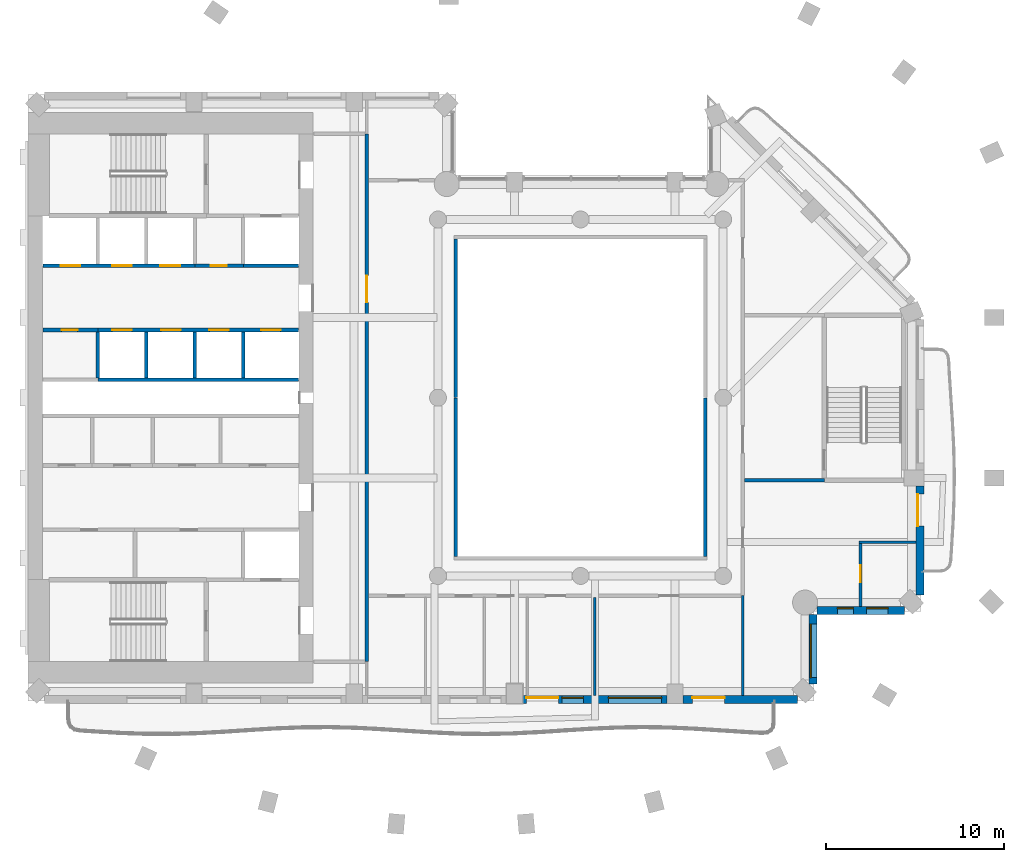
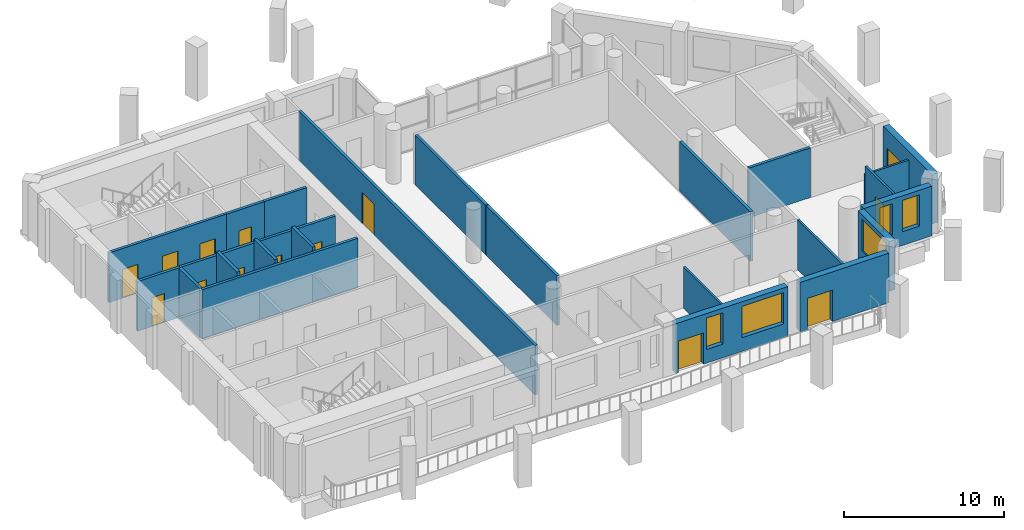
# One storey, part 5 of 13: 24 walls, 14 doors, 5 windows, 19 openings.
"""IFC4 building model written with IfcOpenShell, lengths in metres."""

from ifc_helpers import new_model, si_unit, direction, frame, frame_2d, origin, place, context, subcontext, project, spatial, rectangle, extrude, material, layer, layer_set, type_object, element, fill, save


model = new_model("IFC4")

# Units and contexts
model_context = context("Model", 3, precision=1e-05, world=origin(), true_north=direction((0.0, 1.0)))
body_context = subcontext(model_context, "Body", "Model", "MODEL_VIEW")
ifc_project = project(units=[si_unit("LENGTHUNIT", "METRE"), si_unit("AREAUNIT", "SQUARE_METRE"), si_unit("VOLUMEUNIT", "CUBIC_METRE"), si_unit("PLANEANGLEUNIT", "RADIAN"), si_unit("MASSUNIT", "GRAM", prefix="KILO")], contexts=[model_context])

# Site, building, storey
site_placement = place(None, origin())
site = spatial("IfcSite", under=ifc_project, at=site_placement, CompositionType="ELEMENT")
building_placement = place(site_placement, origin())
building = spatial("IfcBuilding", under=site, at=building_placement, Name="Cypress Arch Tower", CompositionType="ELEMENT")
storey_placement = place(building_placement, frame((0.0, 0.0, 189.199951171875)))
storey = spatial("IfcBuildingStorey", under=building, at=storey_placement, Name="L41", CompositionType="ELEMENT", Elevation=189.199951171875)

# Wall, openings, door, windows
ifc_material_1 = material(Name="Brick (red buff blend)", Category="masonry")
ifc_layer_1 = layer(ifc_material_1, 0.449951171875)
ifc_layer_set_1 = layer_set([ifc_layer_1], Name="Brick pier and spandrel wall BW450")
wall_type_1 = type_object("IfcWallType", Name="Brick pier and spandrel wall BW450", PredefinedType="SOLIDWALL", material=ifc_layer_set_1)
wall_1_placement = place(storey_placement, frame((-2.25, -16.925048828125, 0.0), z_axis=(0.0, 0.0, 1.0), x_axis=(1.0, 0.0, 0.0)))
wall_1 = element("IfcWall", 1, at=wall_1_placement, inside=storey, type_object=wall_type_1, Name="Brick wall L41 B01.3", PredefinedType="SOLIDWALL", context=body_context, shape_type="SweptSolid", body=[
    extrude(rectangle(XDim=8.10009765625, YDim=0.449951171875, at=frame_2d((4.050048828125, 0.0))), origin(), (0.0, 0.0, 1.0), 3.800048828125),
])
opening_1_placement = place(wall_1_placement, frame((0.199951171875, 0.0, 0.0)))
opening_1 = element("IfcOpeningElement", 2, at=opening_1_placement, cuts=wall_1, Name="Opening D-L41-B01.3.1", PredefinedType="OPENING", context=body_context, shape_type="SweptSolid", body=[
    extrude(rectangle(XDim=1.800048828125, YDim=2.39990234375, at=frame_2d((0.89990234375, 1.199951171875))), frame((0.0, 0.23486328125, 0.0), z_axis=(0.0, -1.0, 0.0), x_axis=(1.0, 0.0, 0.0)), (0.0, 0.0, 1.0), 0.469970703125),
])
opening_2_placement = place(wall_1_placement, frame((2.199951171875, 0.0, 1.050048828125)))
opening_2 = element("IfcOpeningElement", 3, at=opening_2_placement, cuts=wall_1, Name="Opening W120OD", PredefinedType="OPENING", context=body_context, shape_type="SweptSolid", body=[
    extrude(rectangle(XDim=1.199951171875, YDim=2.39990234375, at=frame_2d((0.60009765625, 1.199951171875))), frame((0.0, 0.23486328125, 0.0), z_axis=(0.0, -1.0, 0.0), x_axis=(1.0, 0.0, 0.0)), (0.0, 0.0, 1.0), 0.469970703125),
])
opening_3_placement = place(wall_1_placement, frame((4.800048828125, 0.0, 1.050048828125)))
opening_3 = element("IfcOpeningElement", 4, at=opening_3_placement, cuts=wall_1, Name="Opening W300OD", PredefinedType="OPENING", context=body_context, shape_type="SweptSolid", body=[
    extrude(rectangle(XDim=3.0, YDim=2.39990234375, at=frame_2d((1.5, 1.199951171875))), frame((0.0, 0.23486328125, 0.0), z_axis=(0.0, -1.0, 0.0), x_axis=(1.0, 0.0, 0.0)), (0.0, 0.0, 1.0), 0.469970703125),
])
ifc_material_2 = material(Name="Anodised aluminium, bronze finish, laminated low-emissivity double glazing, large-missile impact rated", Category="aluminium")
door_type_1 = type_object("IfcDoorType", Name="Balcony sliding door 1800x2400", OperationType="SLIDING_TO_LEFT", PredefinedType="DOOR", material=ifc_material_2)
door_1_placement = place(opening_1_placement, origin())
door_1 = element("IfcDoor", 5, at=door_1_placement, inside=storey, type_object=door_type_1, Name="Balcony door L41 B01.3.1", OperationType="SLIDING_TO_LEFT", OverallHeight=2.39990234375, OverallWidth=1.800048828125, PredefinedType="DOOR", context=body_context, shape_type="SweptSolid", body=[
    extrude(rectangle(XDim=1.800048828125, YDim=2.39990234375, at=frame_2d((0.89990234375, 1.199951171875))), frame((0.0, 0.1298828125, 0.0), z_axis=(0.0, -1.0, 0.0), x_axis=(1.0, 0.0, 0.0)), (0.0, 0.0, 1.0), 0.050048828125),
])
fill(opening_1, door_1)
ifc_material_3 = material(Name="Anodised aluminium, bronze finish, laminated low-emissivity double glazing, large-missile impact rated", Category="aluminium")
window_type_1 = type_object("IfcWindowType", Name="Window Office 1200x2400 debris-rated", PartitioningType="SINGLE_PANEL", PredefinedType="WINDOW", material=ifc_material_3)
window_1_placement = place(opening_2_placement, origin())
window_1 = element("IfcWindow", 6, at=window_1_placement, inside=storey, type_object=window_type_1, Name="Window L41 B01.3.1", OverallHeight=2.39990234375, OverallWidth=1.199951171875, PartitioningType="SINGLE_PANEL", PredefinedType="WINDOW", context=body_context, shape_type="SweptSolid", body=[
    extrude(rectangle(XDim=1.199951171875, YDim=2.39990234375, at=frame_2d((0.60009765625, 1.199951171875))), frame((0.0, 0.135009765625, 0.0), z_axis=(0.0, -1.0, 0.0), x_axis=(1.0, 0.0, 0.0)), (0.0, 0.0, 1.0), 0.06005859375),
])
fill(opening_2, window_1)
ifc_material_4 = material(Name="Anodised aluminium, bronze finish, laminated low-emissivity double glazing, large-missile impact rated", Category="aluminium")
window_type_2 = type_object("IfcWindowType", Name="Window Office 3000x2400 debris-rated", PartitioningType="SINGLE_PANEL", PredefinedType="WINDOW", material=ifc_material_4)
window_2_placement = place(opening_3_placement, origin())
window_2 = element("IfcWindow", 7, at=window_2_placement, inside=storey, type_object=window_type_2, Name="Window L41 B01.3.2", OverallHeight=2.39990234375, OverallWidth=3.0, PartitioningType="SINGLE_PANEL", PredefinedType="WINDOW", context=body_context, shape_type="SweptSolid", body=[
    extrude(rectangle(XDim=3.0, YDim=2.39990234375, at=frame_2d((1.5, 1.199951171875))), frame((0.0, 0.135009765625, 0.0), z_axis=(0.0, -1.0, 0.0), x_axis=(1.0, 0.0, 0.0)), (0.0, 0.0, 1.0), 0.06005859375),
])
fill(opening_3, window_2)

# Wall, opening, door
wall_2_placement = place(storey_placement, frame((6.75, -16.925048828125, 0.0), z_axis=(0.0, 0.0, 1.0), x_axis=(1.0, 0.0, 0.0)))
wall_2 = element("IfcWall", 8, at=wall_2_placement, inside=storey, type_object=wall_type_1, Name="Brick wall L41 B01.4", PredefinedType="SOLIDWALL", context=body_context, shape_type="SweptSolid", body=[
    extrude(rectangle(XDim=6.41357421875, YDim=0.449951171875, at=frame_2d((3.206787109375, 0.0))), origin(), (0.0, 0.0, 1.0), 3.800048828125),
])
opening_4_placement = place(wall_2_placement, frame((0.52490234375, 0.0, 0.0)))
opening_4 = element("IfcOpeningElement", 9, at=opening_4_placement, cuts=wall_2, Name="Opening D-L41-B01.4.1", PredefinedType="OPENING", context=body_context, shape_type="SweptSolid", body=[
    extrude(rectangle(XDim=1.800048828125, YDim=2.39990234375, at=frame_2d((0.89990234375, 1.199951171875))), frame((0.0, 0.23486328125, 0.0), z_axis=(0.0, -1.0, 0.0), x_axis=(1.0, 0.0, 0.0)), (0.0, 0.0, 1.0), 0.469970703125),
])
door_2_placement = place(opening_4_placement, origin())
door_2 = element("IfcDoor", 10, at=door_2_placement, inside=storey, type_object=door_type_1, Name="Balcony door L41 B01.4.1", OperationType="SLIDING_TO_LEFT", OverallHeight=2.39990234375, OverallWidth=1.800048828125, PredefinedType="DOOR", context=body_context, shape_type="SweptSolid", body=[
    extrude(rectangle(XDim=1.800048828125, YDim=2.39990234375, at=frame_2d((0.89990234375, 1.199951171875))), frame((0.0, 0.1298828125, 0.0), z_axis=(0.0, -1.0, 0.0), x_axis=(1.0, 0.0, 0.0)), (0.0, 0.0, 1.0), 0.050048828125),
])
fill(opening_4, door_2)

# Wall, opening, window
wall_3_placement = place(storey_placement, frame((14.02490234375, -16.063720703125, 0.0), z_axis=(0.0, 0.0, 1.0), x_axis=(0.0, 1.0, 0.0)))
wall_3 = element("IfcWall", 11, at=wall_3_placement, inside=storey, type_object=wall_type_1, Name="Brick wall L41 B02.0", PredefinedType="SOLIDWALL", context=body_context, shape_type="SweptSolid", body=[
    extrude(rectangle(XDim=3.9091796875, YDim=0.449951171875, at=frame_2d((1.95458984375, 0.0))), origin(), (0.0, 0.0, 1.0), 3.800048828125),
])
opening_5_placement = place(wall_3_placement, frame((0.363525390625, 0.0, 1.050048828125)))
opening_5 = element("IfcOpeningElement", 12, at=opening_5_placement, cuts=wall_3, Name="Opening W300O", PredefinedType="OPENING", context=body_context, shape_type="SweptSolid", body=[
    extrude(rectangle(XDim=3.0, YDim=2.39990234375, at=frame_2d((1.5, 1.199951171875))), frame((0.0, 0.23486328125, 0.0), z_axis=(0.0, -1.0, 0.0), x_axis=(1.0, 0.0, 0.0)), (0.0, 0.0, 1.0), 0.469970703125),
])
ifc_material_5 = material(Name="Anodised aluminium, bronze finish, clear low-emissivity double glazing", Category="aluminium")
window_type_3 = type_object("IfcWindowType", Name="Window Office 3000x2400", PartitioningType="SINGLE_PANEL", PredefinedType="WINDOW", material=ifc_material_5)
window_3_placement = place(opening_5_placement, origin())
window_3 = element("IfcWindow", 13, at=window_3_placement, inside=storey, type_object=window_type_3, Name="Window L41 B02.0.1", OverallHeight=2.39990234375, OverallWidth=3.0, PartitioningType="SINGLE_PANEL", PredefinedType="WINDOW", context=body_context, shape_type="SweptSolid", body=[
    extrude(rectangle(XDim=3.0, YDim=2.39990234375, at=frame_2d((1.5, 1.199951171875))), frame((0.0, 0.135009765625, 0.0), z_axis=(0.0, -1.0, 0.0), x_axis=(1.0, 0.0, 0.0)), (0.0, 0.0, 1.0), 0.06005859375),
])
fill(opening_5, window_3)

# Wall, openings, windows
wall_4_placement = place(storey_placement, frame((14.254638671875, -11.925048828125, 0.0), z_axis=(0.0, 0.0, 1.0), x_axis=(1.0, 0.0, 0.0)))
wall_4 = element("IfcWall", 14, at=wall_4_placement, inside=storey, type_object=wall_type_1, Name="Brick wall L41 B03.0", PredefinedType="SOLIDWALL", context=body_context, shape_type="SweptSolid", body=[
    extrude(rectangle(XDim=4.908935546875, YDim=0.449951171875, at=frame_2d((2.45458984375, 0.0))), origin(), (0.0, 0.0, 1.0), 3.800048828125),
])
opening_6_placement = place(wall_4_placement, frame((1.1455078125, 0.0, 1.050048828125)))
opening_6 = element("IfcOpeningElement", 15, at=opening_6_placement, cuts=wall_4, Name="Opening W090O", PredefinedType="OPENING", context=body_context, shape_type="SweptSolid", body=[
    extrude(rectangle(XDim=0.89990234375, YDim=2.39990234375, at=frame_2d((0.449951171875, 1.199951171875))), frame((0.0, 0.23486328125, 0.0), z_axis=(0.0, -1.0, 0.0), x_axis=(1.0, 0.0, 0.0)), (0.0, 0.0, 1.0), 0.469970703125),
])
opening_7_placement = place(wall_4_placement, frame((2.79541015625, 0.0, 1.050048828125)))
opening_7 = element("IfcOpeningElement", 16, at=opening_7_placement, cuts=wall_4, Name="Opening W120O", PredefinedType="OPENING", context=body_context, shape_type="SweptSolid", body=[
    extrude(rectangle(XDim=1.199951171875, YDim=2.39990234375, at=frame_2d((0.60009765625, 1.199951171875))), frame((0.0, 0.23486328125, 0.0), z_axis=(0.0, -1.0, 0.0), x_axis=(1.0, 0.0, 0.0)), (0.0, 0.0, 1.0), 0.469970703125),
])
ifc_material_6 = material(Name="Anodised aluminium, bronze finish, clear low-emissivity double glazing", Category="aluminium")
window_type_4 = type_object("IfcWindowType", Name="Window Office 1200x2400", PartitioningType="SINGLE_PANEL", PredefinedType="WINDOW", material=ifc_material_6)
window_4_placement = place(opening_7_placement, origin())
window_4 = element("IfcWindow", 17, at=window_4_placement, inside=storey, type_object=window_type_4, Name="Window L41 B03.0.1b", OverallHeight=2.39990234375, OverallWidth=1.199951171875, PartitioningType="SINGLE_PANEL", PredefinedType="WINDOW", context=body_context, shape_type="SweptSolid", body=[
    extrude(rectangle(XDim=1.199951171875, YDim=2.39990234375, at=frame_2d((0.60009765625, 1.199951171875))), frame((0.0, 0.135009765625, 0.0), z_axis=(0.0, -1.0, 0.0), x_axis=(1.0, 0.0, 0.0)), (0.0, 0.0, 1.0), 0.06005859375),
])
fill(opening_7, window_4)
ifc_material_7 = material(Name="Anodised aluminium, bronze finish, clear low-emissivity double glazing", Category="aluminium")
window_type_5 = type_object("IfcWindowType", Name="Window Office 900x2400", PartitioningType="SINGLE_PANEL", PredefinedType="WINDOW", material=ifc_material_7)
window_5_placement = place(opening_6_placement, origin())
window_5 = element("IfcWindow", 18, at=window_5_placement, inside=storey, type_object=window_type_5, Name="Window L41 B03.0.1", OverallHeight=2.39990234375, OverallWidth=0.89990234375, PartitioningType="SINGLE_PANEL", PredefinedType="WINDOW", context=body_context, shape_type="SweptSolid", body=[
    extrude(rectangle(XDim=0.89990234375, YDim=2.39990234375, at=frame_2d((0.449951171875, 1.199951171875))), frame((0.0, 0.135009765625, 0.0), z_axis=(0.0, -1.0, 0.0), x_axis=(1.0, 0.0, 0.0)), (0.0, 0.0, 1.0), 0.06005859375),
])
fill(opening_6, window_5)

# Wall, opening, door
wall_5_placement = place(storey_placement, frame((20.02490234375, -11.063720703125, 0.0), z_axis=(0.0, 0.0, 1.0), x_axis=(0.0, 1.0, 0.0)))
wall_5 = element("IfcWall", 19, at=wall_5_placement, inside=storey, type_object=wall_type_1, Name="Brick wall L41 B04.0", PredefinedType="SOLIDWALL", context=body_context, shape_type="SweptSolid", body=[
    extrude(rectangle(XDim=6.11376953125, YDim=0.449951171875, at=frame_2d((3.056884765625, 0.0))), origin(), (0.0, 0.0, 1.0), 3.800048828125),
])
opening_8_placement = place(wall_5_placement, frame((3.863525390625, 0.0, 0.0)))
opening_8 = element("IfcOpeningElement", 20, at=opening_8_placement, cuts=wall_5, Name="Opening D-L41-B04.0.2", PredefinedType="OPENING", context=body_context, shape_type="SweptSolid", body=[
    extrude(rectangle(XDim=1.800048828125, YDim=2.39990234375, at=frame_2d((0.89990234375, 1.199951171875))), frame((0.0, 0.23486328125, 0.0), z_axis=(0.0, -1.0, 0.0), x_axis=(1.0, 0.0, 0.0)), (0.0, 0.0, 1.0), 0.469970703125),
])
door_3_placement = place(opening_8_placement, origin())
door_3 = element("IfcDoor", 21, at=door_3_placement, inside=storey, type_object=door_type_1, Name="Balcony door L41 B04.0.2", OperationType="SLIDING_TO_LEFT", OverallHeight=2.39990234375, OverallWidth=1.800048828125, PredefinedType="DOOR", context=body_context, shape_type="SweptSolid", body=[
    extrude(rectangle(XDim=1.800048828125, YDim=2.39990234375, at=frame_2d((0.89990234375, 1.199951171875))), frame((0.0, 0.1298828125, 0.0), z_axis=(0.0, -1.0, 0.0), x_axis=(1.0, 0.0, 0.0)), (0.0, 0.0, 1.0), 0.050048828125),
])
fill(opening_8, door_3)

ifc_material_8 = material(Name="Concrete blockwork, plastered, rated", Category="masonry")
ifc_layer_2 = layer(ifc_material_8, 0.199951171875)
ifc_layer_set_2 = layer_set([ifc_layer_2], Name="Corridor wall FW200")
wall_type_2 = type_object("IfcWallType", Name="Corridor wall FW200", PredefinedType="PARTITIONING", material=ifc_layer_set_2)
wall_6_placement = place(storey_placement, frame((-29.169921875, 3.800048828125, 0.0), z_axis=(0.0, 0.0, 1.0), x_axis=(1.0, 0.0, 0.0)))
wall_6 = element("IfcWall", 22, at=wall_6_placement, inside=storey, type_object=wall_type_2, Name="Corridor wall", PredefinedType="PARTITIONING", context=body_context, shape_type="SweptSolid", body=[
    extrude(rectangle(XDim=3.08984375, YDim=0.199951171875, at=frame_2d((1.544921875, 0.0))), origin(), (0.0, 0.0, 1.0), 3.800048828125),
])
opening_9_placement = place(wall_6_placement, frame((1.050048828125, 0.0, 0.0)))
opening_9 = element("IfcOpeningElement", 23, at=opening_9_placement, cuts=wall_6, Name="Opening D05", PredefinedType="OPENING", context=body_context, shape_type="SweptSolid", body=[
    extrude(rectangle(XDim=0.89990234375, YDim=2.199951171875, at=frame_2d((0.449951171875, 1.10009765625))), frame((0.0, 0.10986328125, 0.0), z_axis=(0.0, -1.0, 0.0), x_axis=(1.0, 0.0, 0.0)), (0.0, 0.0, 1.0), 0.219970703125),
])
ifc_material_9 = material(Name="Timber flush door", Category="wood")
door_type_2 = type_object("IfcDoorType", Name="Service door D05 900x2200", OperationType="SINGLE_SWING_LEFT", PredefinedType="DOOR", material=ifc_material_9)
door_4_placement = place(opening_9_placement, origin())
door_4 = element("IfcDoor", 24, at=door_4_placement, inside=storey, type_object=door_type_2, Name="Service door", OperationType="SINGLE_SWING_LEFT", OverallHeight=2.199951171875, OverallWidth=0.89990234375, PredefinedType="DOOR", context=body_context, shape_type="SweptSolid", body=[
    extrude(rectangle(XDim=0.89990234375, YDim=2.199951171875, at=frame_2d((0.449951171875, 1.10009765625))), frame((0.0, 0.02490234375, 0.0), z_axis=(0.0, -1.0, 0.0), x_axis=(1.0, 0.0, 0.0)), (0.0, 0.0, 1.0), 0.050048828125),
])
fill(opening_9, door_4)

wall_7_placement = place(storey_placement, frame((-20.639892578125, 7.39990234375, 0.0), z_axis=(0.0, 0.0, 1.0), x_axis=(1.0, 0.0, 0.0)))
wall_7 = element("IfcWall", 25, at=wall_7_placement, inside=storey, type_object=wall_type_2, Name="Corridor wall", PredefinedType="PARTITIONING", context=body_context, shape_type="SweptSolid", body=[
    extrude(rectangle(XDim=2.719970703125, YDim=0.199951171875, at=frame_2d((1.35986328125, 0.0))), origin(), (0.0, 0.0, 1.0), 3.800048828125),
])
opening_10_placement = place(wall_7_placement, frame((0.89990234375, 0.0, 0.0)))
opening_10 = element("IfcOpeningElement", 26, at=opening_10_placement, cuts=wall_7, Name="Opening D05", PredefinedType="OPENING", context=body_context, shape_type="SweptSolid", body=[
    extrude(rectangle(XDim=0.89990234375, YDim=2.199951171875, at=frame_2d((0.449951171875, 1.10009765625))), frame((0.0, 0.10986328125, 0.0), z_axis=(0.0, -1.0, 0.0), x_axis=(1.0, 0.0, 0.0)), (0.0, 0.0, 1.0), 0.219970703125),
])
door_5_placement = place(opening_10_placement, origin())
door_5 = element("IfcDoor", 27, at=door_5_placement, inside=storey, type_object=door_type_2, Name="Service door", OperationType="SINGLE_SWING_LEFT", OverallHeight=2.199951171875, OverallWidth=0.89990234375, PredefinedType="DOOR", context=body_context, shape_type="SweptSolid", body=[
    extrude(rectangle(XDim=0.89990234375, YDim=2.199951171875, at=frame_2d((0.449951171875, 1.10009765625))), frame((0.0, 0.02490234375, 0.0), z_axis=(0.0, -1.0, 0.0), x_axis=(1.0, 0.0, 0.0)), (0.0, 0.0, 1.0), 0.050048828125),
])
fill(opening_10, door_5)

wall_8_placement = place(storey_placement, frame((-11.0, -14.800048828125, 0.0), z_axis=(0.0, 0.0, 1.0), x_axis=(0.0, 1.0, 0.0)))
wall_8 = element("IfcWall", 28, at=wall_8_placement, inside=storey, type_object=wall_type_2, Name="Corridor wall", PredefinedType="PARTITIONING", context=body_context, shape_type="SweptSolid", body=[
    extrude(rectangle(XDim=29.60009765625, YDim=0.199951171875, at=frame_2d((14.800048828125, 0.0))), origin(), (0.0, 0.0, 1.0), 3.800048828125),
])
opening_11_placement = place(wall_8_placement, frame((20.14990234375, 0.0, 0.0)))
opening_11 = element("IfcOpeningElement", 29, at=opening_11_placement, cuts=wall_8, Name="Opening D07", PredefinedType="OPENING", context=body_context, shape_type="SweptSolid", body=[
    extrude(rectangle(XDim=1.5, YDim=2.39990234375, at=frame_2d((0.75, 1.199951171875))), frame((0.0, 0.10986328125, 0.0), z_axis=(0.0, -1.0, 0.0), x_axis=(1.0, 0.0, 0.0)), (0.0, 0.0, 1.0), 0.219970703125),
])
ifc_material_10 = material(Name="Steel framed glazed door, fire resisting", Category="steel")
door_type_3 = type_object("IfcDoorType", Name="Lobby door D07 1500x2400", OperationType="DOUBLE_DOOR_SINGLE_SWING", PredefinedType="DOOR", material=ifc_material_10)
door_6_placement = place(opening_11_placement, origin())
door_6 = element("IfcDoor", 30, at=door_6_placement, inside=storey, type_object=door_type_3, Name="Lobby door", OperationType="DOUBLE_DOOR_SINGLE_SWING", OverallHeight=2.39990234375, OverallWidth=1.5, PredefinedType="DOOR", context=body_context, shape_type="SweptSolid", body=[
    extrude(rectangle(XDim=1.5, YDim=2.39990234375, at=frame_2d((0.75, 1.199951171875))), frame((0.0, 0.02490234375, 0.0), z_axis=(0.0, -1.0, 0.0), x_axis=(1.0, 0.0, 0.0)), (0.0, 0.0, 1.0), 0.050048828125),
])
fill(opening_11, door_6)

# Walls
for number, where, z_axis, x_axis, name in (
    (31, (-6.0, -8.89990234375, 0.0), (0.0, 0.0, 1.0), (0.0, 1.0, 0.0), "Corridor wall"),
    (32, (-6.0, 0.02001953125, 0.0), (0.0, 0.0, 1.0), (0.0, 1.0, 0.0), "Corridor wall"),
    (33, (8.0, -8.89990234375, 0.0), (0.0, 0.0, 1.0), (0.0, 1.0, 0.0), "Corridor wall"),
):
    element("IfcWall", number, at=place(storey_placement, frame(where, z_axis=z_axis, x_axis=x_axis)), inside=storey, type_object=wall_type_2, Name=name, PredefinedType="PARTITIONING", context=body_context, shape_type="SweptSolid", body=[
        extrude(rectangle(XDim=8.8798828125, YDim=0.199951171875, at=frame_2d((4.43994140625, 0.0))), origin(), (0.0, 0.0, 1.0), 3.800048828125),
    ])
wall_9_placement = place(storey_placement, frame((10.199951171875, -4.625, 0.0), z_axis=(0.0, 0.0, 1.0), x_axis=(1.0, 0.0, 0.0)))
element("IfcWall", 34, at=wall_9_placement, inside=storey, type_object=wall_type_2, Name="Corridor wall", PredefinedType="PARTITIONING", context=body_context, shape_type="SweptSolid", body=[
    extrude(rectangle(XDim=4.47509765625, YDim=0.199951171875, at=frame_2d((2.237548828125, 0.0))), origin(), (0.0, 0.0, 1.0), 3.800048828125),
])
ifc_material_11 = material(Name="Blockwork, plastered both sides", Category="masonry")
ifc_layer_3 = layer(ifc_material_11, 0.14990234375)
ifc_layer_set_3 = layer_set([ifc_layer_3], Name="Partition PW150")
wall_type_3 = type_object("IfcWallType", Name="Partition PW150", PredefinedType="PARTITIONING", material=ifc_layer_set_3)
wall_10_placement = place(storey_placement, frame((1.800048828125, -16.699951171875, 0.0), z_axis=(0.0, 0.0, 1.0), x_axis=(0.0, 1.0, 0.0)))
element("IfcWall", 35, at=wall_10_placement, inside=storey, type_object=wall_type_3, Name="Partition", PredefinedType="PARTITIONING", context=body_context, shape_type="SweptSolid", body=[
    extrude(rectangle(XDim=5.5, YDim=0.14990234375, at=frame_2d((2.75, 0.0))), origin(), (0.0, 0.0, 1.0), 3.150146484375),
])
wall_11_placement = place(storey_placement, frame((10.10009765625, -16.699951171875, 0.0), z_axis=(0.0, 0.0, 1.0), x_axis=(0.0, 1.0, 0.0)))
element("IfcWall", 36, at=wall_11_placement, inside=storey, type_object=wall_type_3, Name="Partition", PredefinedType="PARTITIONING", context=body_context, shape_type="SweptSolid", body=[
    extrude(rectangle(XDim=5.599853515625, YDim=0.14990234375, at=frame_2d((2.7998046875, 0.0))), origin(), (0.0, 0.0, 1.0), 3.800048828125),
])

# Wall, opening, door
wall_12_placement = place(storey_placement, frame((16.699951171875, -11.699951171875, 0.0), z_axis=(0.0, 0.0, 1.0), x_axis=(0.0, 1.0, 0.0)))
wall_12 = element("IfcWall", 37, at=wall_12_placement, inside=storey, type_object=wall_type_3, Name="Partition", PredefinedType="PARTITIONING", context=body_context, shape_type="SweptSolid", body=[
    extrude(rectangle(XDim=3.52490234375, YDim=0.14990234375, at=frame_2d((1.762451171875, 0.0))), origin(), (0.0, 0.0, 1.0), 3.800048828125),
])
opening_12_placement = place(wall_12_placement, frame((1.35009765625, 0.0, 0.0)))
opening_12 = element("IfcOpeningElement", 38, at=opening_12_placement, cuts=wall_12, Name="Opening D12", PredefinedType="OPENING", context=body_context, shape_type="SweptSolid", body=[
    extrude(rectangle(XDim=0.949951171875, YDim=2.199951171875, at=frame_2d((0.47509765625, 1.10009765625))), frame((0.0, 0.0849609375, 0.0), z_axis=(0.0, -1.0, 0.0), x_axis=(1.0, 0.0, 0.0)), (0.0, 0.0, 1.0), 0.169921875),
])
ifc_material_12 = material(Name="Timber flush door", Category="wood")
door_type_4 = type_object("IfcDoorType", Name="Room door D12 950x2200", OperationType="SINGLE_SWING_LEFT", PredefinedType="DOOR", material=ifc_material_12)
door_7_placement = place(opening_12_placement, origin())
door_7 = element("IfcDoor", 39, at=door_7_placement, inside=storey, type_object=door_type_4, Name="Room door", OperationType="SINGLE_SWING_RIGHT", OverallHeight=2.199951171875, OverallWidth=0.949951171875, PredefinedType="DOOR", context=body_context, shape_type="SweptSolid", body=[
    extrude(rectangle(XDim=0.949951171875, YDim=2.199951171875, at=frame_2d((0.47509765625, 1.10009765625))), frame((0.0, 0.02490234375, 0.0), z_axis=(0.0, -1.0, 0.0), x_axis=(1.0, 0.0, 0.0)), (0.0, 0.0, 1.0), 0.050048828125),
])
fill(opening_12, door_7)

# Wall
wall_13_placement = place(storey_placement, frame((16.625, -8.10009765625, 0.0), z_axis=(0.0, 0.0, 1.0), x_axis=(1.0, 0.0, 0.0)))
element("IfcWall", 40, at=wall_13_placement, inside=storey, type_object=wall_type_3, Name="Partition", PredefinedType="PARTITIONING", context=body_context, shape_type="SweptSolid", body=[
    extrude(rectangle(XDim=3.175048828125, YDim=0.14990234375, at=frame_2d((1.58740234375, 0.0))), origin(), (0.0, 0.0, 1.0), 3.150146484375),
])

# Wall, openings, doors
ifc_material_13 = material(Name="Concrete C50/60", Category="concrete")
ifc_layer_4 = layer(ifc_material_13, 0.199951171875)
ifc_layer_set_4 = layer_set([ifc_layer_4], Name="Shaft wall SH200")
wall_type_4 = type_object("IfcWallType", Name="Shaft wall SH200", PredefinedType="SHEAR", material=ifc_layer_set_4)
wall_14_placement = place(storey_placement, frame((-29.169921875, 7.39990234375, 0.0), z_axis=(0.0, 0.0, 1.0), x_axis=(1.0, 0.0, 0.0)))
wall_14 = element("IfcWall", 41, at=wall_14_placement, inside=storey, type_object=wall_type_4, Name="Shaft wall", PredefinedType="SHEAR", context=body_context, shape_type="SweptSolid", body=[
    extrude(rectangle(XDim=8.530029296875, YDim=0.199951171875, at=frame_2d((4.26513671875, 0.0))), origin(), (0.0, 0.0, 1.0), 3.800048828125),
])
opening_13_placement = place(wall_14_placement, frame((1.0, 0.0, 0.0)))
opening_13 = element("IfcOpeningElement", 42, at=opening_13_placement, cuts=wall_14, Name="Opening LD-HR5", PredefinedType="OPENING", context=body_context, shape_type="SweptSolid", body=[
    extrude(rectangle(XDim=1.10009765625, YDim=2.199951171875, at=frame_2d((0.550048828125, 1.10009765625))), frame((0.0, 0.10986328125, 0.0), z_axis=(0.0, -1.0, 0.0), x_axis=(1.0, 0.0, 0.0)), (0.0, 0.0, 1.0), 0.219970703125),
])
opening_14_placement = place(wall_14_placement, frame((3.89990234375, 0.0, 0.0)))
opening_14 = element("IfcOpeningElement", 43, at=opening_14_placement, cuts=wall_14, Name="Opening LD-HR6", PredefinedType="OPENING", context=body_context, shape_type="SweptSolid", body=[
    extrude(rectangle(XDim=1.10009765625, YDim=2.199951171875, at=frame_2d((0.550048828125, 1.10009765625))), frame((0.0, 0.10986328125, 0.0), z_axis=(0.0, -1.0, 0.0), x_axis=(1.0, 0.0, 0.0)), (0.0, 0.0, 1.0), 0.219970703125),
])
opening_15_placement = place(wall_14_placement, frame((6.60009765625, 0.0, 0.0)))
opening_15 = element("IfcOpeningElement", 44, at=opening_15_placement, cuts=wall_14, Name="Opening LD-HR7", PredefinedType="OPENING", context=body_context, shape_type="SweptSolid", body=[
    extrude(rectangle(XDim=1.10009765625, YDim=2.199951171875, at=frame_2d((0.550048828125, 1.10009765625))), frame((0.0, 0.10986328125, 0.0), z_axis=(0.0, -1.0, 0.0), x_axis=(1.0, 0.0, 0.0)), (0.0, 0.0, 1.0), 0.219970703125),
])
ifc_material_14 = material(Name="Stainless steel centre-opening landing door, rated", Category="steel")
door_type_5 = type_object("IfcDoorType", Name="Lift landing door LD 1100x2200", OperationType="DOUBLE_DOOR_SLIDING", PredefinedType="DOOR", material=ifc_material_14)
door_8_placement = place(opening_13_placement, origin())
door_8 = element("IfcDoor", 45, at=door_8_placement, inside=storey, type_object=door_type_5, Name="Lift landing doors HR5", OperationType="DOUBLE_DOOR_SLIDING", OverallHeight=2.199951171875, OverallWidth=1.10009765625, PredefinedType="DOOR", context=body_context, shape_type="SweptSolid", body=[
    extrude(rectangle(XDim=1.10009765625, YDim=2.199951171875, at=frame_2d((0.550048828125, 1.10009765625))), frame((0.0, 0.02490234375, 0.0), z_axis=(0.0, -1.0, 0.0), x_axis=(1.0, 0.0, 0.0)), (0.0, 0.0, 1.0), 0.050048828125),
])
fill(opening_13, door_8)
door_9_placement = place(opening_14_placement, origin())
door_9 = element("IfcDoor", 46, at=door_9_placement, inside=storey, type_object=door_type_5, Name="Lift landing doors HR6", OperationType="DOUBLE_DOOR_SLIDING", OverallHeight=2.199951171875, OverallWidth=1.10009765625, PredefinedType="DOOR", context=body_context, shape_type="SweptSolid", body=[
    extrude(rectangle(XDim=1.10009765625, YDim=2.199951171875, at=frame_2d((0.550048828125, 1.10009765625))), frame((0.0, 0.02490234375, 0.0), z_axis=(0.0, -1.0, 0.0), x_axis=(1.0, 0.0, 0.0)), (0.0, 0.0, 1.0), 0.050048828125),
])
fill(opening_14, door_9)
door_10_placement = place(opening_15_placement, origin())
door_10 = element("IfcDoor", 47, at=door_10_placement, inside=storey, type_object=door_type_5, Name="Lift landing doors HR7", OperationType="DOUBLE_DOOR_SLIDING", OverallHeight=2.199951171875, OverallWidth=1.10009765625, PredefinedType="DOOR", context=body_context, shape_type="SweptSolid", body=[
    extrude(rectangle(XDim=1.10009765625, YDim=2.199951171875, at=frame_2d((0.550048828125, 1.10009765625))), frame((0.0, 0.02490234375, 0.0), z_axis=(0.0, -1.0, 0.0), x_axis=(1.0, 0.0, 0.0)), (0.0, 0.0, 1.0), 0.050048828125),
])
fill(opening_15, door_10)

# Walls
wall_15_placement = place(storey_placement, frame((-26.080078125, 1.10009765625, 0.0), z_axis=(0.0, 0.0, 1.0), x_axis=(0.0, 1.0, 0.0)))
element("IfcWall", 48, at=wall_15_placement, inside=storey, type_object=wall_type_4, Name="Shaft wall", PredefinedType="SHEAR", context=body_context, shape_type="SweptSolid", body=[
    extrude(rectangle(XDim=2.599853515625, YDim=0.199951171875, at=frame_2d((1.2998046875, 0.0))), origin(), (0.0, 0.0, 1.0), 3.800048828125),
])
wall_16_placement = place(storey_placement, frame((-26.080078125, 1.0, 0.0), z_axis=(0.0, 0.0, 1.0), x_axis=(1.0, 0.0, 0.0)))
element("IfcWall", 49, at=wall_16_placement, inside=storey, type_object=wall_type_4, Name="Shaft wall", PredefinedType="SHEAR", context=body_context, shape_type="SweptSolid", body=[
    extrude(rectangle(XDim=11.25, YDim=0.199951171875, at=frame_2d((5.625, 0.0))), origin(), (0.0, 0.0, 1.0), 3.800048828125),
])

# Wall, openings, doors
wall_17_placement = place(storey_placement, frame((-26.080078125, 3.800048828125, 0.0), z_axis=(0.0, 0.0, 1.0), x_axis=(1.0, 0.0, 0.0)))
wall_17 = element("IfcWall", 50, at=wall_17_placement, inside=storey, type_object=wall_type_4, Name="Shaft wall", PredefinedType="SHEAR", context=body_context, shape_type="SweptSolid", body=[
    extrude(rectangle(XDim=11.25, YDim=0.199951171875, at=frame_2d((5.625, 0.0))), origin(), (0.0, 0.0, 1.0), 3.800048828125),
])
opening_16_placement = place(wall_17_placement, frame((0.800048828125, 0.0, 0.0)))
opening_16 = element("IfcOpeningElement", 51, at=opening_16_placement, cuts=wall_17, Name="Opening LD-HR1", PredefinedType="OPENING", context=body_context, shape_type="SweptSolid", body=[
    extrude(rectangle(XDim=1.10009765625, YDim=2.199951171875, at=frame_2d((0.550048828125, 1.10009765625))), frame((0.0, 0.10986328125, 0.0), z_axis=(0.0, -1.0, 0.0), x_axis=(1.0, 0.0, 0.0)), (0.0, 0.0, 1.0), 0.219970703125),
])
opening_17_placement = place(wall_17_placement, frame((3.550048828125, 0.0, 0.0)))
opening_17 = element("IfcOpeningElement", 52, at=opening_17_placement, cuts=wall_17, Name="Opening LD-HR2", PredefinedType="OPENING", context=body_context, shape_type="SweptSolid", body=[
    extrude(rectangle(XDim=1.10009765625, YDim=2.199951171875, at=frame_2d((0.550048828125, 1.10009765625))), frame((0.0, 0.10986328125, 0.0), z_axis=(0.0, -1.0, 0.0), x_axis=(1.0, 0.0, 0.0)), (0.0, 0.0, 1.0), 0.219970703125),
])
opening_18_placement = place(wall_17_placement, frame((6.25, 0.0, 0.0)))
opening_18 = element("IfcOpeningElement", 53, at=opening_18_placement, cuts=wall_17, Name="Opening LD-HR3", PredefinedType="OPENING", context=body_context, shape_type="SweptSolid", body=[
    extrude(rectangle(XDim=1.10009765625, YDim=2.199951171875, at=frame_2d((0.550048828125, 1.10009765625))), frame((0.0, 0.10986328125, 0.0), z_axis=(0.0, -1.0, 0.0), x_axis=(1.0, 0.0, 0.0)), (0.0, 0.0, 1.0), 0.219970703125),
])
opening_19_placement = place(wall_17_placement, frame((9.14990234375, 0.0, 0.0)))
opening_19 = element("IfcOpeningElement", 54, at=opening_19_placement, cuts=wall_17, Name="Opening LD-HR4", PredefinedType="OPENING", context=body_context, shape_type="SweptSolid", body=[
    extrude(rectangle(XDim=1.10009765625, YDim=2.199951171875, at=frame_2d((0.550048828125, 1.10009765625))), frame((0.0, 0.10986328125, 0.0), z_axis=(0.0, -1.0, 0.0), x_axis=(1.0, 0.0, 0.0)), (0.0, 0.0, 1.0), 0.219970703125),
])
door_11_placement = place(opening_16_placement, origin())
door_11 = element("IfcDoor", 55, at=door_11_placement, inside=storey, type_object=door_type_5, Name="Lift landing doors HR1", OperationType="DOUBLE_DOOR_SLIDING", OverallHeight=2.199951171875, OverallWidth=1.10009765625, PredefinedType="DOOR", context=body_context, shape_type="SweptSolid", body=[
    extrude(rectangle(XDim=1.10009765625, YDim=2.199951171875, at=frame_2d((0.550048828125, 1.10009765625))), frame((0.0, 0.02490234375, 0.0), z_axis=(0.0, -1.0, 0.0), x_axis=(1.0, 0.0, 0.0)), (0.0, 0.0, 1.0), 0.050048828125),
])
fill(opening_16, door_11)
door_12_placement = place(opening_17_placement, origin())
door_12 = element("IfcDoor", 56, at=door_12_placement, inside=storey, type_object=door_type_5, Name="Lift landing doors HR2", OperationType="DOUBLE_DOOR_SLIDING", OverallHeight=2.199951171875, OverallWidth=1.10009765625, PredefinedType="DOOR", context=body_context, shape_type="SweptSolid", body=[
    extrude(rectangle(XDim=1.10009765625, YDim=2.199951171875, at=frame_2d((0.550048828125, 1.10009765625))), frame((0.0, 0.02490234375, 0.0), z_axis=(0.0, -1.0, 0.0), x_axis=(1.0, 0.0, 0.0)), (0.0, 0.0, 1.0), 0.050048828125),
])
fill(opening_17, door_12)
door_13_placement = place(opening_18_placement, origin())
door_13 = element("IfcDoor", 57, at=door_13_placement, inside=storey, type_object=door_type_5, Name="Lift landing doors HR3", OperationType="DOUBLE_DOOR_SLIDING", OverallHeight=2.199951171875, OverallWidth=1.10009765625, PredefinedType="DOOR", context=body_context, shape_type="SweptSolid", body=[
    extrude(rectangle(XDim=1.10009765625, YDim=2.199951171875, at=frame_2d((0.550048828125, 1.10009765625))), frame((0.0, 0.02490234375, 0.0), z_axis=(0.0, -1.0, 0.0), x_axis=(1.0, 0.0, 0.0)), (0.0, 0.0, 1.0), 0.050048828125),
])
fill(opening_18, door_13)
door_14_placement = place(opening_19_placement, origin())
door_14 = element("IfcDoor", 58, at=door_14_placement, inside=storey, type_object=door_type_5, Name="Lift landing doors HR4", OperationType="DOUBLE_DOOR_SLIDING", OverallHeight=2.199951171875, OverallWidth=1.10009765625, PredefinedType="DOOR", context=body_context, shape_type="SweptSolid", body=[
    extrude(rectangle(XDim=1.10009765625, YDim=2.199951171875, at=frame_2d((0.550048828125, 1.10009765625))), frame((0.0, 0.02490234375, 0.0), z_axis=(0.0, -1.0, 0.0), x_axis=(1.0, 0.0, 0.0)), (0.0, 0.0, 1.0), 0.050048828125),
])
fill(opening_19, door_14)

# Walls
for number, where, z_axis, x_axis, name in (
    (59, (-23.360107421875, 1.10009765625, 0.0), (0.0, 0.0, 1.0), (0.0, 1.0, 0.0), "Shaft wall"),
    (60, (-20.639892578125, 1.10009765625, 0.0), (0.0, 0.0, 1.0), (0.0, 1.0, 0.0), "Shaft wall"),
    (61, (-17.919921875, 1.10009765625, 0.0), (0.0, 0.0, 1.0), (0.0, 1.0, 0.0), "Shaft wall"),
):
    element("IfcWall", number, at=place(storey_placement, frame(where, z_axis=z_axis, x_axis=x_axis)), inside=storey, type_object=wall_type_4, Name=name, PredefinedType="SHEAR", context=body_context, shape_type="SweptSolid", body=[
        extrude(rectangle(XDim=2.599853515625, YDim=0.199951171875, at=frame_2d((1.2998046875, 0.0))), origin(), (0.0, 0.0, 1.0), 4.10009765625),
    ])
wall_18_placement = place(storey_placement, frame((-17.919921875, 7.39990234375, 0.0), z_axis=(0.0, 0.0, 1.0), x_axis=(1.0, 0.0, 0.0)))
element("IfcWall", 62, at=wall_18_placement, inside=storey, type_object=wall_type_4, Name="Shaft wall", PredefinedType="SHEAR", context=body_context, shape_type="SweptSolid", body=[
    extrude(rectangle(XDim=3.08984375, YDim=0.199951171875, at=frame_2d((1.544921875, 0.0))), origin(), (0.0, 0.0, 1.0), 3.800048828125),
])

save(model, "model.ifc")
